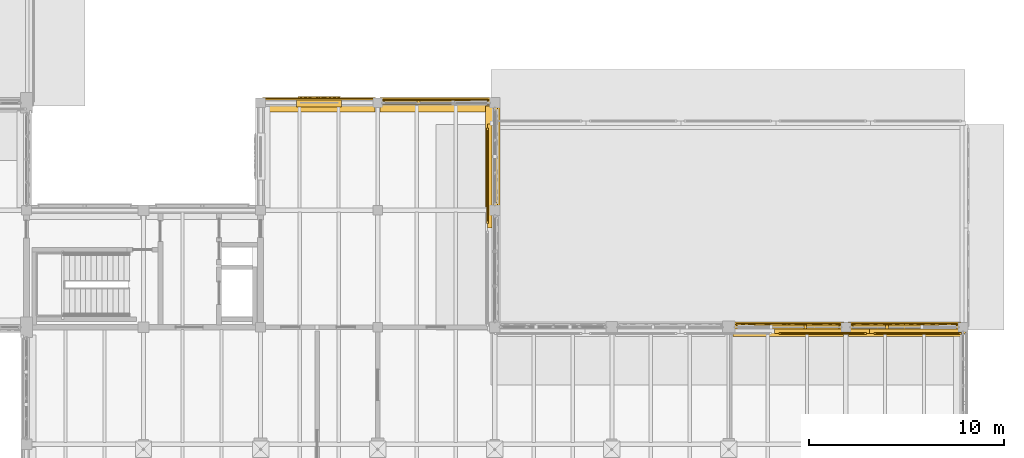
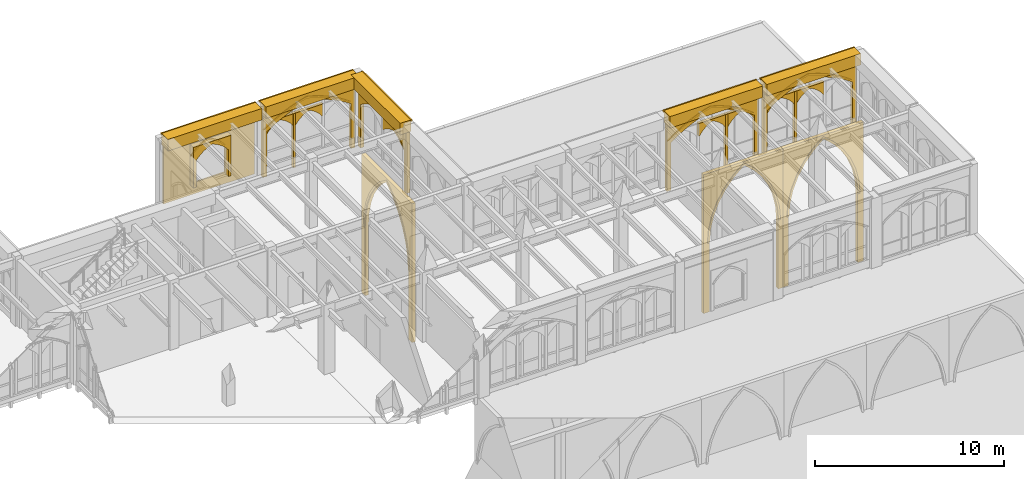
# One storey, part 140 of 143: 36 coverings.
"""IFC4 building model written with IfcOpenShell, lengths in metres."""

from ifc_helpers import new_model, si_unit, direction, frame, origin, origin_2d, place, context, subcontext, project, spatial, polyline, rectangle, outline, extrude, material, type_object, element, save


model = new_model("IFC4")

# Units and contexts
model_context = context("Model", 3, precision=1e-05, world=origin(), true_north=direction((0.0, 1.0)))
body_context = subcontext(model_context, "Body", "Model", "MODEL_VIEW")
ifc_project = project(units=[si_unit("LENGTHUNIT", "METRE"), si_unit("AREAUNIT", "SQUARE_METRE"), si_unit("VOLUMEUNIT", "CUBIC_METRE"), si_unit("PLANEANGLEUNIT", "RADIAN"), si_unit("MASSUNIT", "GRAM", prefix="KILO")], contexts=[model_context])

# Site, building, storey
site_placement = place(None, origin())
site = spatial("IfcSite", under=ifc_project, at=site_placement, CompositionType="ELEMENT")
building_placement = place(site_placement, origin())
building = spatial("IfcBuilding", under=site, at=building_placement, Name="Cumevento Cable Car Station", CompositionType="ELEMENT")
storey_placement = place(building_placement, frame((0.0, 0.0, 9.0)))
storey = spatial("IfcBuildingStorey", under=building, at=storey_placement, Name="L03", CompositionType="ELEMENT", Elevation=9.0)

# Coverings
ifc_material = material(Name="Gnaisse Facoidal Stone Ashlar 85 MPa", Category="masonry")
covering_type = type_object("IfcCoveringType", Name="Gnaisse Ashlar Cladding CV-CL01", PredefinedType="CLADDING", material=ifc_material)
covering_1_placement = place(storey_placement, frame((157.03759765625, 44.85009765625, 3.8330078125), z_axis=(0.0, 0.0, 1.0), x_axis=(1.0, 0.0, 0.0)))
element("IfcCovering", 1, at=covering_1_placement, inside=storey, type_object=covering_type, Name="Gothic Stone Spandrel Stringcourse sc:0687", PredefinedType="CLADDING", context=body_context, shape_type="SweptSolid", body=[
    extrude(rectangle(XDim=5.6650390625, YDim=0.659912109375, at=origin_2d()), origin(), (0.0, 0.0, 1.0), 0.7470703125),
])
covering_2_placement = place(storey_placement, frame((157.03759765625, 45.20751953125, 4.449951171875), z_axis=(0.0, 0.0, 1.0), x_axis=(1.0, 0.0, 0.0)))
element("IfcCovering", 2, at=covering_2_placement, inside=storey, type_object=covering_type, Name="Gothic Cornice Dripstone Lip sc:0687", PredefinedType="CLADDING", context=body_context, shape_type="SweptSolid", body=[
    extrude(rectangle(XDim=5.705078125, YDim=0.114990234375, at=origin_2d()), origin(), (0.0, 0.0, 1.0), 0.1298828125),
])
covering_3_placement = place(storey_placement, frame((163.0, 44.85009765625, 3.8330078125), z_axis=(0.0, 0.0, 1.0), x_axis=(1.0, 0.0, 0.0)))
element("IfcCovering", 3, at=covering_3_placement, inside=storey, type_object=covering_type, Name="Gothic Stone Spandrel Stringcourse sc:0688", PredefinedType="CLADDING", context=body_context, shape_type="SweptSolid", body=[
    extrude(rectangle(XDim=5.739990234375, YDim=0.659912109375, at=origin_2d()), origin(), (0.0, 0.0, 1.0), 0.7470703125),
])
covering_4_placement = place(storey_placement, frame((163.0, 45.20751953125, 4.449951171875), z_axis=(0.0, 0.0, 1.0), x_axis=(1.0, 0.0, 0.0)))
element("IfcCovering", 4, at=covering_4_placement, inside=storey, type_object=covering_type, Name="Gothic Cornice Dripstone Lip sc:0688", PredefinedType="CLADDING", context=body_context, shape_type="SweptSolid", body=[
    extrude(rectangle(XDim=5.780029296875, YDim=0.114990234375, at=origin_2d()), origin(), (0.0, 0.0, 1.0), 0.1298828125),
])
covering_5_placement = place(storey_placement, frame((133.0, 56.35009765625, 3.80908203125), z_axis=(0.0, 0.0, 1.0), x_axis=(1.0, 0.0, 0.0)))
element("IfcCovering", 5, at=covering_5_placement, inside=storey, type_object=covering_type, Name="Gothic Stone Spandrel Stringcourse sc:0693", PredefinedType="CLADDING", context=body_context, shape_type="SweptSolid", body=[
    extrude(rectangle(XDim=5.739990234375, YDim=0.659912109375, at=origin_2d()), origin(), (0.0, 0.0, 1.0), 0.7470703125),
])
covering_6_placement = place(storey_placement, frame((133.0, 56.70751953125, 4.426025390625), z_axis=(0.0, 0.0, 1.0), x_axis=(1.0, 0.0, 0.0)))
element("IfcCovering", 6, at=covering_6_placement, inside=storey, type_object=covering_type, Name="Gothic Cornice Dripstone Lip sc:0693", PredefinedType="CLADDING", context=body_context, shape_type="SweptSolid", body=[
    extrude(rectangle(XDim=5.780029296875, YDim=0.114990234375, at=origin_2d()), origin(), (0.0, 0.0, 1.0), 0.1298828125),
])
covering_7_placement = place(storey_placement, frame((138.987548828125, 56.35009765625, 3.80908203125), z_axis=(0.0, 0.0, 1.0), x_axis=(1.0, 0.0, 0.0)))
element("IfcCovering", 7, at=covering_7_placement, inside=storey, type_object=covering_type, Name="Gothic Stone Spandrel Stringcourse sc:0694", PredefinedType="CLADDING", context=body_context, shape_type="SweptSolid", body=[
    extrude(rectangle(XDim=5.715087890625, YDim=0.659912109375, at=origin_2d()), origin(), (0.0, 0.0, 1.0), 0.7470703125),
])
covering_8_placement = place(storey_placement, frame((138.987548828125, 56.70751953125, 4.426025390625), z_axis=(0.0, 0.0, 1.0), x_axis=(1.0, 0.0, 0.0)))
element("IfcCovering", 8, at=covering_8_placement, inside=storey, type_object=covering_type, Name="Gothic Cornice Dripstone Lip sc:0694", PredefinedType="CLADDING", context=body_context, shape_type="SweptSolid", body=[
    extrude(rectangle(XDim=5.7548828125, YDim=0.114990234375, at=origin_2d()), origin(), (0.0, 0.0, 1.0), 0.1298828125),
])
covering_9_placement = place(storey_placement, frame((141.85009765625, 53.75, 3.80908203125), z_axis=(0.0, 0.0, 1.0), x_axis=(0.0, -1.0, 0.0)))
element("IfcCovering", 9, at=covering_9_placement, inside=storey, type_object=covering_type, Name="Gothic Stone Spandrel Stringcourse sc:0697", PredefinedType="CLADDING", context=body_context, shape_type="SweptSolid", body=[
    extrude(rectangle(XDim=5.18994140625, YDim=0.659912109375, at=origin_2d()), origin(), (0.0, 0.0, 1.0), 0.7470703125),
])
covering_10_placement = place(storey_placement, frame((142.20751953125, 53.75, 4.426025390625), z_axis=(0.0, 0.0, 1.0), x_axis=(0.0, -1.0, 0.0)))
element("IfcCovering", 10, at=covering_10_placement, inside=storey, type_object=covering_type, Name="Gothic Cornice Dripstone Lip sc:0697", PredefinedType="CLADDING", context=body_context, shape_type="SweptSolid", body=[
    extrude(rectangle(XDim=5.22998046875, YDim=0.114990234375, at=origin_2d()), origin(), (0.0, 0.0, 1.0), 0.1298828125),
])
placement_1 = place(storey_placement, frame((154.324951171875, 45.0, -0.52001953125), z_axis=(0.0, 0.0, 1.0), x_axis=(1.0, 0.0, 0.0)))
element("IfcCovering", 11, at=placement_1, inside=storey, type_object=covering_type, Name="Gothic Ogival Pointed-Arch Stone Spandrel cw_ogival:0136", PredefinedType="CLADDING", context=body_context, shape_type="SweptSolid", body=[
    extrude(outline(polyline([(-0.080078125, 0.0), (-0.080078125, 4.492919921875), (5.5048828125, 4.492919921875), (5.5048828125, 0.0), (5.264892578125, 0.0), (5.264892578125, 3.069091796875), (4.9765625, 3.278076171875), (4.677734375, 3.47216796875), (4.369140625, 3.650390625), (4.052001953125, 3.812744140625), (3.726806640625, 3.95849609375), (3.39453125, 4.08740234375), (3.05615234375, 4.198974609375), (2.71240234375, 4.29296875), (2.368896484375, 4.198974609375), (2.030517578125, 4.08740234375), (1.6982421875, 3.95849609375), (1.373046875, 3.812744140625), (1.055908203125, 3.650390625), (0.747314453125, 3.47216796875), (0.448486328125, 3.278076171875), (0.159912109375, 3.069091796875), (0.159912109375, 0.0), (-0.080078125, 0.0)])), frame((0.0, 0.139892578125, 0.0), z_axis=(0.0, -1.0, 0.0), x_axis=(1.0, 0.0, 0.0)), (0.0, 0.0, 1.0), 0.219970703125),
])
covering_12_placement = place(storey_placement, frame((154.324951171875, 45.0, 2.549072265625), z_axis=(0.0, 0.0, 1.0), x_axis=(1.0, 0.0, 0.0)))
element("IfcCovering", 12, at=covering_12_placement, inside=storey, type_object=covering_type, Name="Gothic Pointed Archivolt Hood Moulding cw_ogival:0136", PredefinedType="CLADDING", context=body_context, shape_type="SweptSolid", body=[
    extrude(outline(polyline([(0.159912109375, 0.0), (0.448486328125, 0.208984375), (0.747314453125, 0.403076171875), (1.055908203125, 0.581298828125), (1.373046875, 0.74365234375), (1.6982421875, 0.889404296875), (2.030517578125, 1.018310546875), (2.368896484375, 1.1298828125), (2.71240234375, 1.223876953125), (3.05615234375, 1.1298828125), (3.39453125, 1.018310546875), (3.726806640625, 0.889404296875), (4.052001953125, 0.74365234375), (4.369140625, 0.581298828125), (4.677734375, 0.403076171875), (4.9765625, 0.208984375), (5.264892578125, 0.0), (5.375, 0.0), (5.078125, 0.23193359375), (4.76904296875, 0.447265625), (4.44873046875, 0.6455078125), (4.1181640625, 0.825927734375), (3.778076171875, 0.98828125), (3.429931640625, 1.1318359375), (3.07421875, 1.25634765625), (2.71240234375, 1.361328125), (2.350830078125, 1.25634765625), (1.9951171875, 1.1318359375), (1.64697265625, 0.98828125), (1.306884765625, 0.825927734375), (0.976318359375, 0.6455078125), (0.656005859375, 0.447265625), (0.346923828125, 0.23193359375), (0.050048828125, 0.0), (0.159912109375, 0.0)])), frame((0.0, 0.181884765625, 0.0), z_axis=(0.0, -1.0, 0.0), x_axis=(1.0, 0.0, 0.0)), (0.0, 0.0, 1.0), 0.06689453125),
])
element("IfcCovering", 13, at=placement_1, inside=storey, type_object=covering_type, Name="Gothic Bifora Stone Colonnette cw_ogival:0136 #2", PredefinedType="CLADDING", context=body_context, shape_type="SweptSolid", body=[
    extrude(outline(polyline([(3.513427734375, -0.02001953125), (3.663330078125, -0.02001953125), (3.663330078125, 3.70556640625), (3.513427734375, 3.70556640625), (3.513427734375, -0.02001953125)])), frame((0.0, 0.1279296875, 0.0), z_axis=(0.0, -1.0, 0.0), x_axis=(1.0, 0.0, 0.0)), (0.0, 0.0, 1.0), 0.205078125),
])
for number, where, z_axis, x_axis, name in (
    (14, (156.206787109375, 45.0, 2.369140625), (0.0, 0.0, 1.0), (1.0, 0.0, 0.0), "Gothic Ogival Pointed-Arch Stone Spandrel cw_ogival:0136:sub:1"),
    (15, (157.958251953125, 45.0, 2.369140625), (0.0, 0.0, 1.0), (1.0, 0.0, 0.0), "Gothic Ogival Pointed-Arch Stone Spandrel cw_ogival:0136:sub:2"),
):
    element("IfcCovering", number, at=place(storey_placement, frame(where, z_axis=z_axis, x_axis=x_axis)), inside=storey, type_object=covering_type, Name=name, PredefinedType="CLADDING", context=body_context, shape_type="SweptSolid", body=[
        extrude(outline(polyline([(-0.02001953125, 0.0), (-0.02001953125, 0.81640625), (1.681640625, 0.81640625), (1.681640625, 0.0), (1.62158203125, 0.0), (1.52490234375, 0.150390625), (1.412109375, 0.2890625), (1.28466796875, 0.41455078125), (1.14404296875, 0.525146484375), (0.9921875, 0.619384765625), (0.830810546875, 0.6962890625), (0.66943359375, 0.619384765625), (0.517578125, 0.525146484375), (0.376953125, 0.41455078125), (0.24951171875, 0.2890625), (0.13671875, 0.150390625), (0.0400390625, 0.0), (-0.02001953125, 0.0)])), frame((0.0, 0.1240234375, 0.0), z_axis=(0.0, -1.0, 0.0), x_axis=(1.0, 0.0, 0.0)), (0.0, 0.0, 1.0), 0.199951171875),
    ])
placement_2 = place(storey_placement, frame((160.25, 45.0, -0.419921875), z_axis=(0.0, 0.0, 1.0), x_axis=(1.0, 0.0, 0.0)))
element("IfcCovering", 16, at=placement_2, inside=storey, type_object=covering_type, Name="Gothic Ogival Pointed-Arch Stone Spandrel cw_ogival:0138", PredefinedType="CLADDING", context=body_context, shape_type="SweptSolid", body=[
    extrude(outline(polyline([(-0.080078125, 0.0), (-0.080078125, 4.39306640625), (5.580078125, 4.39306640625), (5.580078125, 0.0), (5.340087890625, 0.0), (5.340087890625, 3.005126953125), (5.044677734375, 3.20849609375), (4.73974609375, 3.39697265625), (4.426025390625, 3.570068359375), (4.10400390625, 3.7275390625), (3.7744140625, 3.868896484375), (3.4384765625, 3.993896484375), (3.0966796875, 4.10205078125), (2.75, 4.193115234375), (2.4033203125, 4.10205078125), (2.0615234375, 3.993896484375), (1.7255859375, 3.868896484375), (1.39599609375, 3.7275390625), (1.073974609375, 3.570068359375), (0.76025390625, 3.39697265625), (0.455322265625, 3.20849609375), (0.159912109375, 3.005126953125), (0.159912109375, 0.0), (-0.080078125, 0.0)])), frame((0.0, 0.139892578125, 0.0), z_axis=(0.0, -1.0, 0.0), x_axis=(1.0, 0.0, 0.0)), (0.0, 0.0, 1.0), 0.219970703125),
])
covering_15_placement = place(storey_placement, frame((160.25, 45.0, 2.585205078125), z_axis=(0.0, 0.0, 1.0), x_axis=(1.0, 0.0, 0.0)))
element("IfcCovering", 17, at=covering_15_placement, inside=storey, type_object=covering_type, Name="Gothic Pointed Archivolt Hood Moulding cw_ogival:0138", PredefinedType="CLADDING", context=body_context, shape_type="SweptSolid", body=[
    extrude(outline(polyline([(0.159912109375, 0.0), (0.455322265625, 0.203369140625), (0.76025390625, 0.391845703125), (1.073974609375, 0.56494140625), (1.39599609375, 0.722412109375), (1.7255859375, 0.86376953125), (2.0615234375, 0.98876953125), (2.4033203125, 1.096923828125), (2.75, 1.18798828125), (3.0966796875, 1.096923828125), (3.4384765625, 0.98876953125), (3.7744140625, 0.86376953125), (4.10400390625, 0.722412109375), (4.426025390625, 0.56494140625), (4.73974609375, 0.391845703125), (5.044677734375, 0.203369140625), (5.340087890625, 0.0), (5.449951171875, 0.0), (5.146240234375, 0.22607421875), (4.8310546875, 0.43603515625), (4.50537109375, 0.629150390625), (4.169921875, 0.804931640625), (3.82568359375, 0.962890625), (3.4736328125, 1.1025390625), (3.11474609375, 1.223388671875), (2.75, 1.325439453125), (2.38525390625, 1.223388671875), (2.0263671875, 1.1025390625), (1.67431640625, 0.962890625), (1.330078125, 0.804931640625), (0.99462890625, 0.629150390625), (0.6689453125, 0.43603515625), (0.353759765625, 0.22607421875), (0.050048828125, 0.0), (0.159912109375, 0.0)])), frame((0.0, 0.181884765625, 0.0), z_axis=(0.0, -1.0, 0.0), x_axis=(1.0, 0.0, 0.0)), (0.0, 0.0, 1.0), 0.06689453125),
])
element("IfcCovering", 18, at=placement_2, inside=storey, type_object=covering_type, Name="Gothic Bifora Stone Colonnette cw_ogival:0138 #1", PredefinedType="CLADDING", context=body_context, shape_type="SweptSolid", body=[
    extrude(outline(polyline([(1.78662109375, -0.02001953125), (1.936767578125, -0.02001953125), (1.936767578125, 3.622802734375), (1.78662109375, 3.622802734375), (1.78662109375, -0.02001953125)])), frame((0.0, 0.1279296875, 0.0), z_axis=(0.0, -1.0, 0.0), x_axis=(1.0, 0.0, 0.0)), (0.0, 0.0, 1.0), 0.205078125),
])
for number, where, z_axis, x_axis, name in (
    (19, (160.3798828125, 45.0, 2.405029296875), (0.0, 0.0, 1.0), (1.0, 0.0, 0.0), "Gothic Ogival Pointed-Arch Stone Spandrel cw_ogival:0138:sub:0"),
    (20, (162.15673828125, 45.0, 2.405029296875), (0.0, 0.0, 1.0), (1.0, 0.0, 0.0), "Gothic Ogival Pointed-Arch Stone Spandrel cw_ogival:0138:sub:1"),
):
    element("IfcCovering", number, at=place(storey_placement, frame(where, z_axis=z_axis, x_axis=x_axis)), inside=storey, type_object=covering_type, Name=name, PredefinedType="CLADDING", context=body_context, shape_type="SweptSolid", body=[
        extrude(outline(polyline([(-0.02001953125, 0.0), (-0.02001953125, 0.797607421875), (1.706787109375, 0.797607421875), (1.706787109375, 0.0), (1.646728515625, 0.0), (1.5458984375, 0.14697265625), (1.429931640625, 0.2822265625), (1.30029296875, 0.404052734375), (1.157958984375, 0.511474609375), (1.005126953125, 0.60302734375), (0.84326171875, 0.677734375), (0.681640625, 0.60302734375), (0.52880859375, 0.511474609375), (0.386474609375, 0.404052734375), (0.2568359375, 0.2822265625), (0.140869140625, 0.14697265625), (0.0400390625, 0.0), (-0.02001953125, 0.0)])), frame((0.0, 0.1240234375, 0.0), z_axis=(0.0, -1.0, 0.0), x_axis=(1.0, 0.0, 0.0)), (0.0, 0.0, 1.0), 0.199951171875),
    ])
placement_3 = place(storey_placement, frame((136.25, 56.5, -0.27001953125), z_axis=(0.0, 0.0, 1.0), x_axis=(1.0, 0.0, 0.0)))
element("IfcCovering", 21, at=placement_3, inside=storey, type_object=covering_type, Name="Gothic Ogival Pointed-Arch Stone Spandrel cw_ogival:0141", PredefinedType="CLADDING", context=body_context, shape_type="SweptSolid", body=[
    extrude(outline(polyline([(-0.080078125, 0.0), (-0.080078125, 4.218994140625), (5.554931640625, 4.218994140625), (5.554931640625, 0.0), (5.31494140625, 0.0), (5.31494140625, 2.893798828125), (5.018798828125, 3.086669921875), (4.713623046875, 3.265625), (4.400390625, 3.4296875), (4.079833984375, 3.578857421875), (3.75244140625, 3.712646484375), (3.419189453125, 3.83056640625), (3.08056640625, 3.932861328125), (2.737548828125, 4.01904296875), (2.39453125, 3.932861328125), (2.055908203125, 3.83056640625), (1.72265625, 3.712646484375), (1.395263671875, 3.578857421875), (1.07470703125, 3.4296875), (0.761474609375, 3.265625), (0.456298828125, 3.086669921875), (0.159912109375, 2.893798828125), (0.159912109375, 0.0), (-0.080078125, 0.0)])), frame((0.0, 0.139892578125, 0.0), z_axis=(0.0, -1.0, 0.0), x_axis=(1.0, 0.0, 0.0)), (0.0, 0.0, 1.0), 0.219970703125),
])
covering_18_placement = place(storey_placement, frame((136.25, 56.5, 2.623779296875), z_axis=(0.0, 0.0, 1.0), x_axis=(1.0, 0.0, 0.0)))
element("IfcCovering", 22, at=covering_18_placement, inside=storey, type_object=covering_type, Name="Gothic Pointed Archivolt Hood Moulding cw_ogival:0141", PredefinedType="CLADDING", context=body_context, shape_type="SweptSolid", body=[
    extrude(outline(polyline([(0.159912109375, 0.0), (0.456298828125, 0.19287109375), (0.761474609375, 0.371826171875), (1.07470703125, 0.535888671875), (1.395263671875, 0.68505859375), (1.72265625, 0.81884765625), (2.055908203125, 0.936767578125), (2.39453125, 1.0390625), (2.737548828125, 1.125244140625), (3.08056640625, 1.0390625), (3.419189453125, 0.936767578125), (3.75244140625, 0.81884765625), (4.079833984375, 0.68505859375), (4.400390625, 0.535888671875), (4.713623046875, 0.371826171875), (5.018798828125, 0.19287109375), (5.31494140625, 0.0), (5.425048828125, 0.0), (5.1201171875, 0.2158203125), (4.8046875, 0.416015625), (4.4794921875, 0.60009765625), (4.145263671875, 0.767578125), (3.80322265625, 0.91796875), (3.4541015625, 1.05078125), (3.098388671875, 1.165771484375), (2.737548828125, 1.2626953125), (2.376708984375, 1.165771484375), (2.02099609375, 1.05078125), (1.671875, 0.91796875), (1.329833984375, 0.767578125), (0.99560546875, 0.60009765625), (0.67041015625, 0.416015625), (0.35498046875, 0.2158203125), (0.050048828125, 0.0), (0.159912109375, 0.0)])), frame((0.0, 0.181884765625, 0.0), z_axis=(0.0, -1.0, 0.0), x_axis=(1.0, 0.0, 0.0)), (0.0, 0.0, 1.0), 0.06689453125),
])
element("IfcCovering", 23, at=placement_3, inside=storey, type_object=covering_type, Name="Gothic Bifora Stone Colonnette cw_ogival:0141 #1", PredefinedType="CLADDING", context=body_context, shape_type="SweptSolid", body=[
    extrude(outline(polyline([(1.7783203125, -0.02001953125), (1.92822265625, -0.02001953125), (1.92822265625, 3.47900390625), (1.7783203125, 3.47900390625), (1.7783203125, -0.02001953125)])), frame((0.0, 0.1279296875, 0.0), z_axis=(0.0, -1.0, 0.0), x_axis=(1.0, 0.0, 0.0)), (0.0, 0.0, 1.0), 0.205078125),
])
for number, where, z_axis, x_axis, name in (
    (24, (136.3798828125, 56.5, 2.44384765625), (0.0, 0.0, 1.0), (1.0, 0.0, 0.0), "Gothic Ogival Pointed-Arch Stone Spandrel cw_ogival:0141:sub:0"),
    (25, (138.1484375, 56.5, 2.44384765625), (0.0, 0.0, 1.0), (1.0, 0.0, 0.0), "Gothic Ogival Pointed-Arch Stone Spandrel cw_ogival:0141:sub:1"),
):
    element("IfcCovering", number, at=place(storey_placement, frame(where, z_axis=z_axis, x_axis=x_axis)), inside=storey, type_object=covering_type, Name=name, PredefinedType="CLADDING", context=body_context, shape_type="SweptSolid", body=[
        extrude(outline(polyline([(-0.02001953125, 0.0), (-0.02001953125, 0.76513671875), (1.6982421875, 0.76513671875), (1.6982421875, 0.0), (1.638427734375, 0.0), (1.53564453125, 0.140380859375), (1.4189453125, 0.269287109375), (1.28955078125, 0.385498046875), (1.148681640625, 0.487548828125), (0.998046875, 0.574462890625), (0.839111328125, 0.64501953125), (0.68017578125, 0.574462890625), (0.529541015625, 0.487548828125), (0.388671875, 0.385498046875), (0.25927734375, 0.269287109375), (0.142578125, 0.140380859375), (0.0400390625, 0.0), (-0.02001953125, 0.0)])), frame((0.0, 0.1240234375, 0.0), z_axis=(0.0, -1.0, 0.0), x_axis=(1.0, 0.0, 0.0)), (0.0, 0.0, 1.0), 0.199951171875),
    ])
covering_20_placement = place(storey_placement, frame((142.0, 56.22509765625, -0.159912109375), z_axis=(0.0, 0.0, 1.0), x_axis=(0.0, -1.0, 0.0)))
element("IfcCovering", 26, at=covering_20_placement, inside=storey, type_object=covering_type, Name="Gothic Ogival Pointed-Arch Stone Spandrel cw_ogival:0143", PredefinedType="CLADDING", context=body_context, shape_type="SweptSolid", body=[
    extrude(outline(polyline([(-0.080078125, 0.0), (-0.080078125, 4.10888671875), (5.030029296875, 4.10888671875), (5.030029296875, 0.0), (4.7900390625, 0.0), (4.7900390625, 2.823486328125), (4.527099609375, 3.0087890625), (4.25537109375, 3.181396484375), (3.97509765625, 3.339599609375), (3.6875, 3.4833984375), (3.392822265625, 3.612548828125), (3.091796875, 3.726806640625), (2.78564453125, 3.82568359375), (2.47509765625, 3.9091796875), (2.164306640625, 3.82568359375), (1.858154296875, 3.726806640625), (1.55712890625, 3.612548828125), (1.262451171875, 3.4833984375), (0.974853515625, 3.339599609375), (0.694580078125, 3.181396484375), (0.4228515625, 3.0087890625), (0.159912109375, 2.823486328125), (0.159912109375, 0.0), (-0.080078125, 0.0)])), frame((0.0, 0.139892578125, 0.0), z_axis=(0.0, -1.0, 0.0), x_axis=(1.0, 0.0, 0.0)), (0.0, 0.0, 1.0), 0.219970703125),
])
covering_21_placement = place(storey_placement, frame((142.0, 53.705078125, 2.4833984375), z_axis=(0.0, 0.0, 1.0), x_axis=(0.0, -1.0, 0.0)))
element("IfcCovering", 27, at=covering_21_placement, inside=storey, type_object=covering_type, Name="Gothic Ogival Pointed-Arch Stone Spandrel cw_ogival:0143:sub:1", PredefinedType="CLADDING", context=body_context, shape_type="SweptSolid", body=[
    extrude(outline(polyline([(-0.02001953125, 0.0), (-0.02001953125, 0.744384765625), (2.320068359375, 0.744384765625), (2.320068359375, 0.0), (2.260009765625, 0.0), (2.097412109375, 0.139404296875), (1.92431640625, 0.265625), (1.741943359375, 0.3779296875), (1.55126953125, 0.4755859375), (1.353515625, 0.557861328125), (1.14990234375, 0.62451171875), (0.946533203125, 0.557861328125), (0.748779296875, 0.4755859375), (0.55810546875, 0.3779296875), (0.375732421875, 0.265625), (0.20263671875, 0.139404296875), (0.0400390625, 0.0), (-0.02001953125, 0.0)])), frame((0.0, 0.1240234375, 0.0), z_axis=(0.0, -1.0, 0.0), x_axis=(1.0, 0.0, 0.0)), (0.0, 0.0, 1.0), 0.199951171875),
])
covering_22_placement = place(storey_placement, frame((130.25, 56.5, 0.0), z_axis=(0.0, 0.0, 1.0), x_axis=(1.0, 0.0, 0.0)))
element("IfcCovering", 28, at=covering_22_placement, inside=storey, type_object=covering_type, Name="Exterior Gnaisse Stone Wall Ashlar #261", PredefinedType="CLADDING", context=body_context, shape_type="SweptSolid", body=[
    extrude(outline(polyline([(-0.0400390625, -0.02001953125), (5.5400390625, -0.02001953125), (5.5400390625, 3.888916015625), (-0.0400390625, 3.888916015625), (-0.0400390625, -0.02001953125)]), holes=[polyline([(1.784912109375, 0.7099609375), (3.715087890625, 0.7099609375), (3.715087890625, 3.0400390625), (1.784912109375, 3.0400390625), (1.784912109375, 0.7099609375)])]), frame((0.0, 0.222412109375, 0.0), z_axis=(0.0, -1.0, 0.0), x_axis=(1.0, 0.0, 0.0)), (0.0, 0.0, 1.0), 0.0849609375),
])
covering_23_placement = place(storey_placement, frame((131.885009765625, 56.5, 0.64990234375), z_axis=(0.0, 0.0, 1.0), x_axis=(1.0, 0.0, 0.0)))
element("IfcCovering", 29, at=covering_23_placement, inside=storey, type_object=covering_type, Name="Gothic Ogival Pointed-Arch Stone Spandrel op_ogival:0261:1", PredefinedType="CLADDING", context=body_context, shape_type="SweptSolid", body=[
    extrude(outline(polyline([(-0.0400390625, 0.0), (-0.0400390625, 2.6201171875), (2.27001953125, 2.6201171875), (2.27001953125, 0.0), (2.090087890625, 0.0), (2.090087890625, 1.741943359375), (1.9775390625, 1.874267578125), (1.854736328125, 1.996826171875), (1.72216796875, 2.109130859375), (1.5810546875, 2.210205078125), (1.43212890625, 2.29931640625), (1.2763671875, 2.376220703125), (1.114990234375, 2.43994140625), (0.95361328125, 2.376220703125), (0.7978515625, 2.29931640625), (0.64892578125, 2.210205078125), (0.5078125, 2.109130859375), (0.375244140625, 1.996826171875), (0.25244140625, 1.874267578125), (0.139892578125, 1.741943359375), (0.139892578125, 0.0), (-0.0400390625, 0.0)])), frame((0.0, 0.260498046875, 0.0), z_axis=(0.0, -1.0, 0.0), x_axis=(1.0, 0.0, 0.0)), (0.0, 0.0, 1.0), 0.47509765625),
])
covering_24_placement = place(storey_placement, frame((131.885009765625, 56.5, 2.39208984375), z_axis=(0.0, 0.0, 1.0), x_axis=(1.0, 0.0, 0.0)))
element("IfcCovering", 30, at=covering_24_placement, inside=storey, type_object=covering_type, Name="Gothic Pointed Archivolt Hood Moulding op_ogival:0261:1", PredefinedType="CLADDING", context=body_context, shape_type="SweptSolid", body=[
    extrude(outline(polyline([(0.139892578125, 0.0), (0.25244140625, 0.13232421875), (0.375244140625, 0.2548828125), (0.5078125, 0.3671875), (0.64892578125, 0.46826171875), (0.7978515625, 0.557373046875), (0.95361328125, 0.63427734375), (1.114990234375, 0.697998046875), (1.2763671875, 0.63427734375), (1.43212890625, 0.557373046875), (1.5810546875, 0.46826171875), (1.72216796875, 0.3671875), (1.854736328125, 0.2548828125), (1.9775390625, 0.13232421875), (2.090087890625, 0.0), (2.18896484375, 0.0), (2.06884765625, 0.15478515625), (1.935791015625, 0.298828125), (1.790771484375, 0.430908203125), (1.635009765625, 0.550048828125), (1.4697265625, 0.655517578125), (1.2958984375, 0.74609375), (1.114990234375, 0.82177734375), (0.93408203125, 0.74609375), (0.76025390625, 0.655517578125), (0.594970703125, 0.550048828125), (0.439208984375, 0.430908203125), (0.294189453125, 0.298828125), (0.1611328125, 0.15478515625), (0.041015625, 0.0), (0.139892578125, 0.0)])), frame((0.0, 0.302490234375, 0.0), z_axis=(0.0, -1.0, 0.0), x_axis=(1.0, 0.0, 0.0)), (0.0, 0.0, 1.0), 0.06689453125),
])
covering_25_placement = place(storey_placement, frame((161.239990234375, 44.85009765625, -9.02001953125), z_axis=(0.0, 0.0, 1.0), x_axis=(-1.0, 0.0, 0.0)))
element("IfcCovering", 31, at=covering_25_placement, inside=storey, type_object=covering_type, Name="Gothic Ogival Pointed-Arch Stone Spandrel cumevento_plinth:bank_arch:SLOPE_DEP_N:S:3", PredefinedType="CLADDING", context=body_context, shape_type="SweptSolid", body=[
    extrude(outline(polyline([(-0.030029296875, 0.0), (-0.030029296875, 8.97998046875), (4.889892578125, 8.97998046875), (4.889892578125, 0.0), (4.5400390625, 0.0), (4.5400390625, 4.47998046875), (4.477294921875, 5.300537109375), (4.29052734375, 6.10205078125), (3.98388671875, 6.865966796875), (3.564697265625, 7.57421875), (3.042724609375, 8.21044921875), (2.429931640625, 8.760009765625), (1.8173828125, 8.21044921875), (1.29541015625, 7.57421875), (0.876220703125, 6.865966796875), (0.569580078125, 6.10205078125), (0.3828125, 5.300537109375), (0.320068359375, 4.47998046875), (0.320068359375, 0.0), (-0.030029296875, 0.0)])), frame((0.0, 0.159912109375, 0.0), z_axis=(0.0, -1.0, 0.0), x_axis=(1.0, 0.0, 0.0)), (0.0, 0.0, 1.0), 0.219970703125),
])
covering_26_placement = place(storey_placement, frame((161.239990234375, 44.85009765625, -4.5400390625), z_axis=(0.0, 0.0, 1.0), x_axis=(-1.0, 0.0, 0.0)))
element("IfcCovering", 32, at=covering_26_placement, inside=storey, type_object=covering_type, Name="Gothic Pointed Archivolt Hood Moulding cumevento_plinth:bank_arch:SLOPE_DEP_N:S:3", PredefinedType="CLADDING", context=body_context, shape_type="SweptSolid", body=[
    extrude(outline(polyline([(0.320068359375, 0.0), (0.3828125, 0.820556640625), (0.569580078125, 1.6220703125), (0.876220703125, 2.385986328125), (1.29541015625, 3.09423828125), (1.8173828125, 3.73046875), (2.429931640625, 4.280029296875), (3.042724609375, 3.73046875), (3.564697265625, 3.09423828125), (3.98388671875, 2.385986328125), (4.29052734375, 1.6220703125), (4.477294921875, 0.820556640625), (4.5400390625, 0.0), (4.660888671875, 0.0), (4.594482421875, 0.854248046875), (4.396484375, 1.687744140625), (4.07177734375, 2.480712890625), (3.62841796875, 3.213623046875), (3.07666015625, 3.869140625), (2.429931640625, 4.43115234375), (1.783447265625, 3.869140625), (1.231689453125, 3.213623046875), (0.788330078125, 2.480712890625), (0.463623046875, 1.687744140625), (0.265625, 0.854248046875), (0.198974609375, 0.0), (0.320068359375, 0.0)])), frame((0.0, 0.201904296875, 0.0), z_axis=(0.0, -1.0, 0.0), x_axis=(1.0, 0.0, 0.0)), (0.0, 0.0, 1.0), 0.06689453125),
])
covering_27_placement = place(storey_placement, frame((166.10009765625, 44.85009765625, -9.02001953125), z_axis=(0.0, 0.0, 1.0), x_axis=(-1.0, 0.0, 0.0)))
element("IfcCovering", 33, at=covering_27_placement, inside=storey, type_object=covering_type, Name="Gothic Ogival Pointed-Arch Stone Spandrel cumevento_plinth:bank_arch:SLOPE_DEP_N:S:4", PredefinedType="CLADDING", context=body_context, shape_type="SweptSolid", body=[
    extrude(outline(polyline([(-0.030029296875, 0.0), (-0.030029296875, 8.97998046875), (4.889892578125, 8.97998046875), (4.889892578125, 0.0), (4.5400390625, 0.0), (4.5400390625, 4.47998046875), (4.477294921875, 5.300537109375), (4.29052734375, 6.10205078125), (3.98388671875, 6.865966796875), (3.564697265625, 7.57421875), (3.042724609375, 8.21044921875), (2.429931640625, 8.760009765625), (1.8173828125, 8.21044921875), (1.29541015625, 7.57421875), (0.876220703125, 6.865966796875), (0.569580078125, 6.10205078125), (0.3828125, 5.300537109375), (0.320068359375, 4.47998046875), (0.320068359375, 0.0), (-0.030029296875, 0.0)])), frame((0.0, 0.159912109375, 0.0), z_axis=(0.0, -1.0, 0.0), x_axis=(1.0, 0.0, 0.0)), (0.0, 0.0, 1.0), 0.219970703125),
])
covering_28_placement = place(storey_placement, frame((166.10009765625, 44.85009765625, -4.5400390625), z_axis=(0.0, 0.0, 1.0), x_axis=(-1.0, 0.0, 0.0)))
element("IfcCovering", 34, at=covering_28_placement, inside=storey, type_object=covering_type, Name="Gothic Pointed Archivolt Hood Moulding cumevento_plinth:bank_arch:SLOPE_DEP_N:S:4", PredefinedType="CLADDING", context=body_context, shape_type="SweptSolid", body=[
    extrude(outline(polyline([(0.320068359375, 0.0), (0.3828125, 0.820556640625), (0.569580078125, 1.6220703125), (0.876220703125, 2.385986328125), (1.29541015625, 3.09423828125), (1.8173828125, 3.73046875), (2.429931640625, 4.280029296875), (3.042724609375, 3.73046875), (3.564697265625, 3.09423828125), (3.98388671875, 2.385986328125), (4.29052734375, 1.6220703125), (4.477294921875, 0.820556640625), (4.5400390625, 0.0), (4.660888671875, 0.0), (4.594482421875, 0.854248046875), (4.396484375, 1.687744140625), (4.07177734375, 2.480712890625), (3.62841796875, 3.213623046875), (3.07666015625, 3.869140625), (2.429931640625, 4.43115234375), (1.783447265625, 3.869140625), (1.231689453125, 3.213623046875), (0.788330078125, 2.480712890625), (0.463623046875, 1.687744140625), (0.265625, 0.854248046875), (0.198974609375, 0.0), (0.320068359375, 0.0)])), frame((0.0, 0.201904296875, 0.0), z_axis=(0.0, -1.0, 0.0), x_axis=(1.0, 0.0, 0.0)), (0.0, 0.0, 1.0), 0.06689453125),
])
covering_29_placement = place(storey_placement, frame((141.800048828125, 50.125, -9.02001953125), z_axis=(0.0, 0.0, 1.0), x_axis=(0.0, 1.0, 0.0)))
element("IfcCovering", 35, at=covering_29_placement, inside=storey, type_object=covering_type, Name="Gothic Ogival Pointed-Arch Stone Spandrel cumevento_plinth:bank_arch:SLOPE_DEP_N:W:0", PredefinedType="CLADDING", context=body_context, shape_type="SweptSolid", body=[
    extrude(outline(polyline([(-0.030029296875, 0.0), (-0.030029296875, 8.97998046875), (5.304931640625, 8.97998046875), (5.304931640625, 0.0), (4.955078125, 0.0), (4.955078125, 4.47998046875), (4.885009765625, 5.321533203125), (4.677734375, 6.14013671875), (4.33837890625, 6.91357421875), (3.876220703125, 7.620361328125), (3.303955078125, 8.241455078125), (2.637451171875, 8.760009765625), (1.970947265625, 8.241455078125), (1.398681640625, 7.620361328125), (0.9365234375, 6.91357421875), (0.59716796875, 6.14013671875), (0.389892578125, 5.321533203125), (0.320068359375, 4.47998046875), (0.320068359375, 0.0), (-0.030029296875, 0.0)])), frame((0.0, 0.159912109375, 0.0), z_axis=(0.0, -1.0, 0.0), x_axis=(1.0, 0.0, 0.0)), (0.0, 0.0, 1.0), 0.219970703125),
])
covering_30_placement = place(storey_placement, frame((141.800048828125, 50.125, -4.5400390625), z_axis=(0.0, 0.0, 1.0), x_axis=(0.0, 1.0, 0.0)))
element("IfcCovering", 36, at=covering_30_placement, inside=storey, type_object=covering_type, Name="Gothic Pointed Archivolt Hood Moulding cumevento_plinth:bank_arch:SLOPE_DEP_N:W:0", PredefinedType="CLADDING", context=body_context, shape_type="SweptSolid", body=[
    extrude(outline(polyline([(0.320068359375, 0.0), (0.389892578125, 0.841552734375), (0.59716796875, 1.66015625), (0.9365234375, 2.43359375), (1.398681640625, 3.140380859375), (1.970947265625, 3.761474609375), (2.637451171875, 4.280029296875), (3.303955078125, 3.761474609375), (3.876220703125, 3.140380859375), (4.33837890625, 2.43359375), (4.677734375, 1.66015625), (4.885009765625, 0.841552734375), (4.955078125, 0.0), (5.075927734375, 0.0), (5.00244140625, 0.87548828125), (4.78369140625, 1.726318359375), (4.426025390625, 2.529052734375), (3.939453125, 3.260498046875), (3.337646484375, 3.900634765625), (2.637451171875, 4.43115234375), (1.937255859375, 3.900634765625), (1.33544921875, 3.260498046875), (0.848876953125, 2.529052734375), (0.4912109375, 1.726318359375), (0.2724609375, 0.87548828125), (0.198974609375, 0.0), (0.320068359375, 0.0)])), frame((0.0, 0.201904296875, 0.0), z_axis=(0.0, -1.0, 0.0), x_axis=(1.0, 0.0, 0.0)), (0.0, 0.0, 1.0), 0.06689453125),
])

save(model, "model.ifc")
